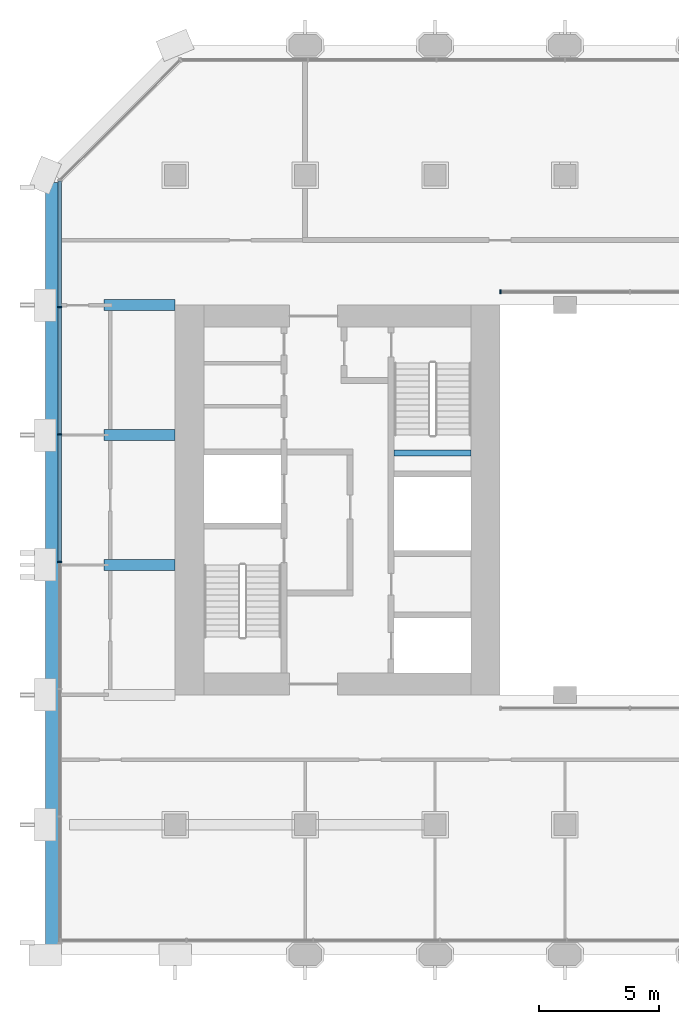
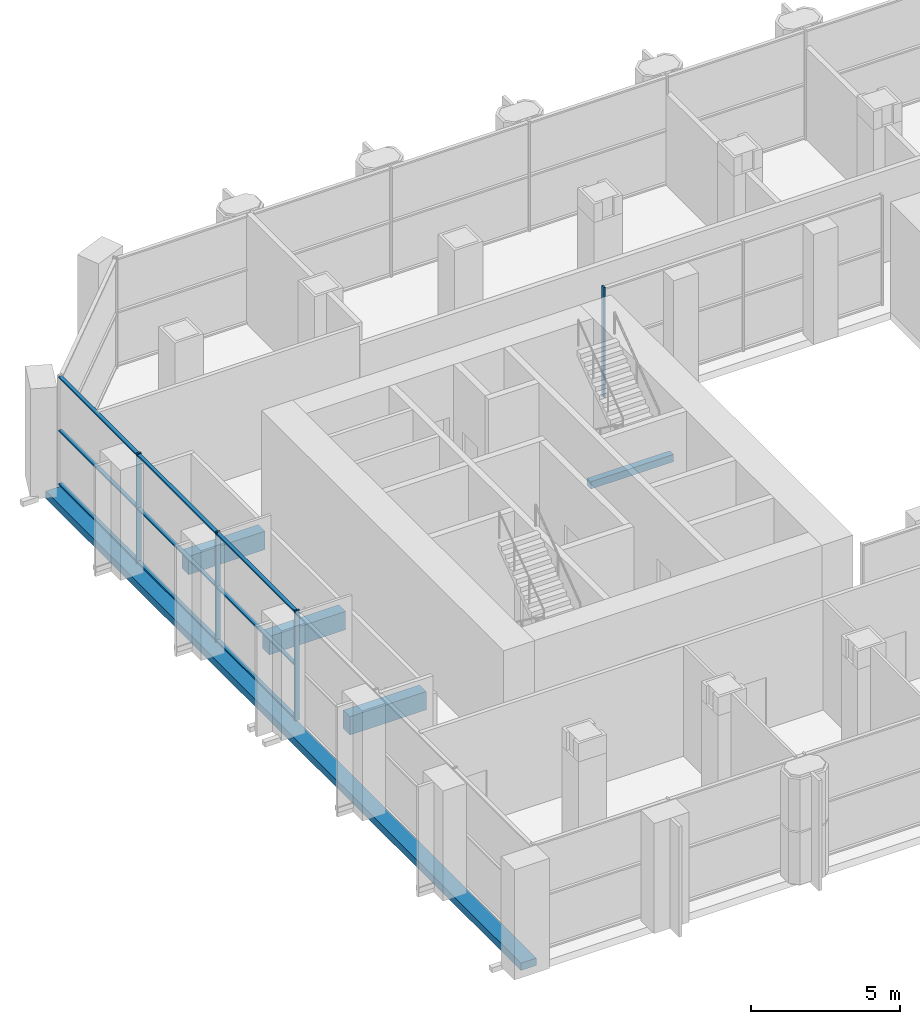
# One storey, part 4 of 15: 13 members, 5 beams, 2 elements without a shape of their own.
"""IFC4 building model written with IfcOpenShell, lengths in metres."""

import ifcopenshell
import ifcopenshell.guid

model = None  # the IFC model being written
_history = None  # IfcOwnerHistory: only IFC2X3 demands one
_inside = {}  # id of a spatial element -> (the spatial element, [elements in it])
_under = {}  # id of a project, library or spatial element -> (it, [spatial elements below it])
_declared = {}  # id of a project -> (the project, [libraries it declares])
_typed = {}  # id of a type object -> (the type object, [elements of that type])
_made_of = {}  # id of a material, layer set ... -> (it, [elements and type objects made of it])


def new_model(schema):
    """Start an empty IFC model of exactly this schema.

    Asked for "IFC4X3", IfcOpenShell would pick the latest addendum, in which some entities
    have other attributes; the version numbers below select the first issue.
    IFC2X3 requires an IfcOwnerHistory on every rooted entity: one is made here for all.
    """
    global model, _history
    if schema == "IFC4X3":
        model = ifcopenshell.file(schema_version=(4, 3, 0, 0))
    else:
        model = ifcopenshell.file(schema=schema)
    _inside.clear()
    _under.clear()
    _declared.clear()
    _typed.clear()
    _made_of.clear()
    _history = None
    if model.schema == "IFC2X3":
        org = make("IfcOrganization", Name="unknown")
        user = make(
            "IfcPersonAndOrganization",
            ThePerson=make("IfcPerson", FamilyName="unknown"),
            TheOrganization=org,
        )
        app = make(
            "IfcApplication",
            ApplicationDeveloper=org,
            Version="unknown",
            ApplicationFullName="unknown",
            ApplicationIdentifier="unknown",
        )
        _history = make(
            "IfcOwnerHistory",
            OwningUser=user,
            OwningApplication=app,
            ChangeAction="ADDED",
            CreationDate=0,
        )
    return model


def make(cls, **values):
    """One entity of the class cls with the attributes given. An attribute that is None is left unset."""
    return model.create_entity(
        cls, **{name: value for name, value in values.items() if value is not None}
    )


def rooted(cls, **values):
    """An entity with a GlobalId (a new one), such as an element, a storey or a relation."""
    return make(cls, GlobalId=ifcopenshell.guid.new(), OwnerHistory=_history, **values)


def si_unit(unit_type, name, prefix=None):
    """IfcSIUnit, for example si_unit("LENGTHUNIT", "METRE", prefix="MILLI")."""
    return make("IfcSIUnit", UnitType=unit_type, Prefix=prefix, Name=name)


def assignment(units):
    """IfcUnitAssignment: the units of a project."""
    return None if units is None else make("IfcUnitAssignment", Units=units)


def point(xyz):
    """IfcCartesianPoint."""
    return None if xyz is None else make("IfcCartesianPoint", Coordinates=xyz)


def direction(xyz):
    """IfcDirection."""
    return None if xyz is None else make("IfcDirection", DirectionRatios=xyz)


def frame(location, z_axis=None, x_axis=None):
    """IfcAxis2Placement3D, a coordinate frame: its origin and axes. An axis left out is left unset."""
    return make(
        "IfcAxis2Placement3D",
        Location=point(location),
        Axis=direction(z_axis),
        RefDirection=direction(x_axis),
    )


def frame_2d(location, x_axis=None):
    """IfcAxis2Placement2D, a coordinate frame in the plane: its origin and x axis."""
    return make(
        "IfcAxis2Placement2D", Location=point(location), RefDirection=direction(x_axis)
    )


def origin():
    """The frame at (0, 0, 0) with its axes left unset."""
    return frame((0.0, 0.0, 0.0))


def origin_2d():
    """The frame at (0, 0) in the plane with its x axis left unset."""
    return frame_2d((0.0, 0.0))


def place(relative_to, where):
    """IfcLocalPlacement: puts the frame where relative to a parent placement (None: the world)."""
    return make(
        "IfcLocalPlacement", PlacementRelTo=relative_to, RelativePlacement=where
    )


def context(
    kind, dimensions, precision=None, world=None, true_north=None, identifier=None
):
    """IfcGeometricRepresentationContext, for example the 3D "Model" context."""
    return make(
        "IfcGeometricRepresentationContext",
        ContextIdentifier=identifier,
        ContextType=kind,
        CoordinateSpaceDimension=dimensions,
        Precision=precision,
        WorldCoordinateSystem=world,
        TrueNorth=true_north,
    )


def subcontext(parent, identifier, kind, view, scale=None):
    """IfcGeometricRepresentationSubContext, for example "Body" below "Model"."""
    return make(
        "IfcGeometricRepresentationSubContext",
        ContextIdentifier=identifier,
        ContextType=kind,
        ParentContext=parent,
        TargetScale=scale,
        TargetView=view,
    )


def project(units=None, contexts=None):
    """IfcProject with its units and contexts."""
    return rooted(
        "IfcProject",
        Name="project",
        RepresentationContexts=contexts,
        UnitsInContext=assignment(units),
    )


def spatial(cls, under=None, at=None, **own):
    """A site, building, storey or space (cls), placed at a placement, below another one or the project."""
    s = rooted(cls, ObjectPlacement=at, **own)
    if under is not None:
        _under.setdefault(under.id(), (under, []))[1].append(s)
    return s


def profile(cls, at=None, kind="AREA", **sizes):
    """A parametric profile (cls). Its sizes go by their IFC names, for example OverallWidth=200.0."""
    return make(cls, ProfileType=kind, Position=at, **sizes)


def rectangle(**sizes):
    """IfcRectangleProfileDef."""
    return profile("IfcRectangleProfileDef", **sizes)


def extrude(swept, where, along, depth):
    """IfcExtrudedAreaSolid: the profile swept, set in the frame where, extruded along a direction by depth."""
    return make(
        "IfcExtrudedAreaSolid",
        SweptArea=swept,
        Position=where,
        ExtrudedDirection=direction(along),
        Depth=depth,
    )


def shape(context_of_items, identifier, shape_type, items):
    """IfcShapeRepresentation: the items that make up one representation, for example the "Body"."""
    return make(
        "IfcShapeRepresentation",
        ContextOfItems=context_of_items,
        RepresentationIdentifier=identifier,
        RepresentationType=shape_type,
        Items=items,
    )


def material(Name=None, Category=None):
    """IfcMaterial."""
    return make("IfcMaterial", Name=Name, Category=Category)


def material_profile(
    of_material, cross_section, Name=None, Category=None, Priority=None
):
    """IfcMaterialProfile: a cross section and its material."""
    return make(
        "IfcMaterialProfile",
        Name=Name,
        Material=of_material,
        Profile=cross_section,
        Priority=Priority,
        Category=Category,
    )


def profile_set(profiles, Name=None, composite=None):
    """IfcMaterialProfileSet."""
    return make(
        "IfcMaterialProfileSet",
        Name=Name,
        MaterialProfiles=profiles,
        CompositeProfile=composite,
    )


def made_of(thing, what):
    """Note that an element or type object is made of a material, layer set ...; save() writes the relation."""
    if what is not None:
        _made_of.setdefault(what.id(), (what, []))[1].append(thing)
    return thing


def type_object(cls, material=None, **own):
    """A type object (cls), such as IfcWallType, which elements share."""
    return made_of(rooted(cls, **own), material)


def element(
    cls,
    number,
    at=None,
    inside=None,
    cuts=None,
    type_object=None,
    material=None,
    context=None,
    identifier="Body",
    shape_type=None,
    held_by="IfcProductDefinitionShape",
    body=None,
    shapes=None,
    **own,
):
    """One element of the class cls, such as IfcWall. Its Tag is "e" and its number.

    at: its placement. inside: the storey or other place that contains it. cuts: it is an
    opening in that element (IfcRelVoidsElement). A single representation is given by context,
    identifier, shape_type and body (its items); several are given by shapes. held_by: the class
    of the entity that holds the representations. save() writes the other relations.
    """
    e = rooted(cls, Tag="e%d" % number, ObjectPlacement=at, **own)
    if body is not None:
        shapes = [shape(context, identifier, shape_type, body)]
    if shapes is not None:
        e.Representation = make(held_by, Representations=shapes)
    if inside is not None:
        _inside.setdefault(inside.id(), (inside, []))[1].append(e)
    if cuts is not None:
        rooted(
            "IfcRelVoidsElement", RelatingBuildingElement=cuts, RelatedOpeningElement=e
        )
    if type_object is not None:
        _typed.setdefault(type_object.id(), (type_object, []))[1].append(e)
    return made_of(e, material)


def aggregate(whole, parts):
    """IfcRelAggregates: a whole, such as a stair, and the parts it consists of."""
    return rooted("IfcRelAggregates", RelatingObject=whole, RelatedObjects=parts)


def save(model, path):
    """Write the relations noted so far, then the file.

    IfcRelAggregates (storeys below a building ...), IfcRelContainedInSpatialStructure (elements
    in a storey), IfcRelDefinesByType, IfcRelAssociatesMaterial and IfcRelDeclares: one each for
    every whole, place, type object, material and project.
    """
    for whole, parts in _under.values():
        aggregate(whole, parts)
    for where, things in _inside.values():
        rooted(
            "IfcRelContainedInSpatialStructure",
            RelatedElements=things,
            RelatingStructure=where,
        )
    for kind, things in _typed.values():
        rooted("IfcRelDefinesByType", RelatedObjects=things, RelatingType=kind)
    for what, things in _made_of.values():
        rooted("IfcRelAssociatesMaterial", RelatedObjects=things, RelatingMaterial=what)
    for by, libraries in _declared.values():
        rooted("IfcRelDeclares", RelatingContext=by, RelatedDefinitions=libraries)
    model.write(path)


model = new_model("IFC4")

# Units and contexts
model_context = context("Model", 3, precision=1e-05, world=origin(), true_north=direction((0.0, 1.0)))
body_context = subcontext(model_context, "Body", "Model", "MODEL_VIEW")
ifc_project = project(units=[si_unit("LENGTHUNIT", "METRE"), si_unit("AREAUNIT", "SQUARE_METRE"), si_unit("VOLUMEUNIT", "CUBIC_METRE"), si_unit("PLANEANGLEUNIT", "RADIAN"), si_unit("MASSUNIT", "GRAM", prefix="KILO")], contexts=[model_context])

# Site, building, storey
site_placement = place(None, origin())
site = spatial("IfcSite", under=ifc_project, at=site_placement, CompositionType="ELEMENT")
building_placement = place(site_placement, origin())
building = spatial("IfcBuilding", under=site, at=building_placement, Name="Tabaq Tower and Sports Hall", CompositionType="ELEMENT")
storey_placement = place(building_placement, frame((0.0, 0.0, 143.199951171875)))
storey = spatial("IfcBuildingStorey", under=building, at=storey_placement, Name="L33", CompositionType="ELEMENT", Elevation=143.199951171875)

# Curtain wall, member
ifc_material_1 = material(Name="Aluminium alloy 6063-T6 framed glazing", Category="aluminium")
curtain_wall_type_1 = type_object("IfcCurtainWallType", Name="CW1 curtain wall", PredefinedType="USERDEFINED", material=ifc_material_1)
curtain_wall_1_placement = place(storey_placement, origin())
curtain_wall_1 = element("IfcCurtainWall", 1, at=curtain_wall_1_placement, inside=storey, type_object=curtain_wall_type_1, Name="Atrium glazing L33 N", ObjectType="ATRIUM ENCLOSURE", PredefinedType="USERDEFINED")
ifc_material_2 = material(Name="Aluminium alloy 6063-T6", Category="aluminium")
ifc_material_profile_1 = material_profile(ifc_material_2, rectangle(XDim=0.159912109375, YDim=0.06005859375, at=origin_2d()), Name="MULLION 160x60")
ifc_profile_set_1 = profile_set([ifc_material_profile_1], Name="Aluminium alloy 6063-T6")
member_type_1 = type_object("IfcMemberType", Name="CW1 mullion 160x60", PredefinedType="MULLION", material=ifc_profile_set_1)
member_1_placement = place(storey_placement, frame((18.929931640625, 32.949951171875, 0.0), z_axis=(0.0, 0.0, 1.0), x_axis=(0.0, 1.0, 0.0)))
member_1 = element("IfcMember", 2, at=member_1_placement, type_object=member_type_1, Name="CW1 mullion 1", PredefinedType="MULLION", context=body_context, shape_type="SweptSolid", body=[
    extrude(rectangle(XDim=0.159912109375, YDim=0.06005859375, at=origin_2d()), origin(), (0.0, 0.0, 1.0), 4.5),
])
aggregate(curtain_wall_1, [member_1])

# Curtain wall, members
ifc_material_3 = material(Name="Aluminium alloy 6063-T6 framed glazing", Category="aluminium")
curtain_wall_type_2 = type_object("IfcCurtainWallType", Name="CW3 curtain wall", PredefinedType="USERDEFINED", material=ifc_material_3)
curtain_wall_2_placement = place(storey_placement, origin())
curtain_wall_2 = element("IfcCurtainWall", 3, at=curtain_wall_2_placement, inside=storey, type_object=curtain_wall_type_2, Name="Garden Floor Wall L33 W", ObjectType="GARDEN FLOOR WALL", PredefinedType="USERDEFINED")
ifc_material_4 = material(Name="Aluminium alloy 6063-T6", Category="aluminium")
ifc_material_profile_2 = material_profile(ifc_material_4, rectangle(XDim=0.179931640625, YDim=0.06005859375, at=origin_2d()), Name="MULLION 180x60")
ifc_profile_set_2 = profile_set([ifc_material_profile_2], Name="Aluminium alloy 6063-T6")
member_type_2 = type_object("IfcMemberType", Name="CW3 mullion 180x60", PredefinedType="MULLION", material=ifc_profile_set_2)
member_2_placement = place(storey_placement, frame((0.60009765625, 32.319580078125, 0.0), z_axis=(0.0, 0.0, 1.0), x_axis=(1.0, 0.0, 0.0)))
member_2 = element("IfcMember", 4, at=member_2_placement, type_object=member_type_2, Name="CW3 mullion 2", PredefinedType="MULLION", context=body_context, shape_type="SweptSolid", body=[
    extrude(rectangle(XDim=0.179931640625, YDim=0.06005859375, at=origin_2d()), origin(), (0.0, 0.0, 1.0), 4.5),
])
member_3_placement = place(storey_placement, frame((0.60009765625, 27.025634765625, 0.0), z_axis=(0.0, 0.0, 1.0), x_axis=(1.0, 0.0, 0.0)))
member_3 = element("IfcMember", 5, at=member_3_placement, type_object=member_type_2, Name="CW3 mullion 3", PredefinedType="MULLION", context=body_context, shape_type="SweptSolid", body=[
    extrude(rectangle(XDim=0.179931640625, YDim=0.06005859375, at=origin_2d()), origin(), (0.0, 0.0, 1.0), 4.5),
])
member_4_placement = place(storey_placement, frame((0.60009765625, 21.731689453125, 0.0), z_axis=(0.0, 0.0, 1.0), x_axis=(1.0, 0.0, 0.0)))
member_4 = element("IfcMember", 6, at=member_4_placement, type_object=member_type_2, Name="CW3 mullion 4", PredefinedType="MULLION", context=body_context, shape_type="SweptSolid", body=[
    extrude(rectangle(XDim=0.179931640625, YDim=0.06005859375, at=origin_2d()), origin(), (0.0, 0.0, 1.0), 4.5),
])
ifc_material_5 = material(Name="Aluminium alloy 6063-T6", Category="aluminium")
ifc_material_profile_3 = material_profile(ifc_material_5, rectangle(XDim=0.139892578125, YDim=0.06005859375, at=origin_2d()), Name="TRANSOM 140x60")
ifc_profile_set_3 = profile_set([ifc_material_profile_3], Name="Aluminium alloy 6063-T6")
member_type_3 = type_object("IfcMemberType", Name="CW3 transom 140x60", PredefinedType="USERDEFINED", material=ifc_profile_set_3)
member_5_placement = place(storey_placement, frame((0.60009765625, 37.5537109375, 0.070068359375), z_axis=(0.0, -1.0, 0.0), x_axis=(1.0, 0.0, 0.0)))
member_5 = element("IfcMember", 7, at=member_5_placement, type_object=member_type_3, Name="CW3 transom 1.1", ObjectType="TRANSOM", PredefinedType="USERDEFINED", context=body_context, shape_type="SweptSolid", body=[
    extrude(rectangle(XDim=0.139892578125, YDim=0.06005859375, at=origin_2d()), origin(), (0.0, 0.0, 1.0), 5.2041015625),
])
member_6_placement = place(storey_placement, frame((0.60009765625, 37.5537109375, 2.25), z_axis=(0.0, -1.0, 0.0), x_axis=(1.0, 0.0, 0.0)))
member_6 = element("IfcMember", 8, at=member_6_placement, type_object=member_type_3, Name="CW3 transom 1.2", ObjectType="TRANSOM", PredefinedType="USERDEFINED", context=body_context, shape_type="SweptSolid", body=[
    extrude(rectangle(XDim=0.139892578125, YDim=0.06005859375, at=origin_2d()), origin(), (0.0, 0.0, 1.0), 5.2041015625),
])
member_7_placement = place(storey_placement, frame((0.60009765625, 37.5537109375, 4.429931640625), z_axis=(0.0, -1.0, 0.0), x_axis=(1.0, 0.0, 0.0)))
member_7 = element("IfcMember", 9, at=member_7_placement, type_object=member_type_3, Name="CW3 transom 1.3", ObjectType="TRANSOM", PredefinedType="USERDEFINED", context=body_context, shape_type="SweptSolid", body=[
    extrude(rectangle(XDim=0.139892578125, YDim=0.06005859375, at=origin_2d()), origin(), (0.0, 0.0, 1.0), 5.2041015625),
])
member_8_placement = place(storey_placement, frame((0.60009765625, 32.28955078125, 0.070068359375), z_axis=(0.0, -1.0, 0.0), x_axis=(1.0, 0.0, 0.0)))
member_8 = element("IfcMember", 10, at=member_8_placement, type_object=member_type_3, Name="CW3 transom 2.1", ObjectType="TRANSOM", PredefinedType="USERDEFINED", context=body_context, shape_type="SweptSolid", body=[
    extrude(rectangle(XDim=0.139892578125, YDim=0.06005859375, at=origin_2d()), origin(), (0.0, 0.0, 1.0), 5.23388671875),
])
member_9_placement = place(storey_placement, frame((0.60009765625, 32.28955078125, 2.25), z_axis=(0.0, -1.0, 0.0), x_axis=(1.0, 0.0, 0.0)))
member_9 = element("IfcMember", 11, at=member_9_placement, type_object=member_type_3, Name="CW3 transom 2.2", ObjectType="TRANSOM", PredefinedType="USERDEFINED", context=body_context, shape_type="SweptSolid", body=[
    extrude(rectangle(XDim=0.139892578125, YDim=0.06005859375, at=origin_2d()), origin(), (0.0, 0.0, 1.0), 5.23388671875),
])
member_10_placement = place(storey_placement, frame((0.60009765625, 32.28955078125, 4.429931640625), z_axis=(0.0, -1.0, 0.0), x_axis=(1.0, 0.0, 0.0)))
member_10 = element("IfcMember", 12, at=member_10_placement, type_object=member_type_3, Name="CW3 transom 2.3", ObjectType="TRANSOM", PredefinedType="USERDEFINED", context=body_context, shape_type="SweptSolid", body=[
    extrude(rectangle(XDim=0.139892578125, YDim=0.06005859375, at=origin_2d()), origin(), (0.0, 0.0, 1.0), 5.23388671875),
])
member_11_placement = place(storey_placement, frame((0.60009765625, 26.995849609375, 0.070068359375), z_axis=(0.0, -1.0, 0.0), x_axis=(1.0, 0.0, 0.0)))
member_11 = element("IfcMember", 13, at=member_11_placement, type_object=member_type_3, Name="CW3 transom 3.1", ObjectType="TRANSOM", PredefinedType="USERDEFINED", context=body_context, shape_type="SweptSolid", body=[
    extrude(rectangle(XDim=0.139892578125, YDim=0.06005859375, at=origin_2d()), origin(), (0.0, 0.0, 1.0), 5.234130859375),
])
member_12_placement = place(storey_placement, frame((0.60009765625, 26.995849609375, 2.25), z_axis=(0.0, -1.0, 0.0), x_axis=(1.0, 0.0, 0.0)))
member_12 = element("IfcMember", 14, at=member_12_placement, type_object=member_type_3, Name="CW3 transom 3.2", ObjectType="TRANSOM", PredefinedType="USERDEFINED", context=body_context, shape_type="SweptSolid", body=[
    extrude(rectangle(XDim=0.139892578125, YDim=0.06005859375, at=origin_2d()), origin(), (0.0, 0.0, 1.0), 5.234130859375),
])
member_13_placement = place(storey_placement, frame((0.60009765625, 26.995849609375, 4.429931640625), z_axis=(0.0, -1.0, 0.0), x_axis=(1.0, 0.0, 0.0)))
member_13 = element("IfcMember", 15, at=member_13_placement, type_object=member_type_3, Name="CW3 transom 3.3", ObjectType="TRANSOM", PredefinedType="USERDEFINED", context=body_context, shape_type="SweptSolid", body=[
    extrude(rectangle(XDim=0.139892578125, YDim=0.06005859375, at=origin_2d()), origin(), (0.0, 0.0, 1.0), 5.234130859375),
])
aggregate(curtain_wall_2, [member_2, member_3, member_4, member_5, member_6, member_7, member_8, member_9, member_10, member_11, member_12, member_13])

# Beams
ifc_material_6 = material(Name="Concrete C40/50", Category="concrete")
ifc_material_profile_4 = material_profile(ifc_material_6, rectangle(XDim=0.449951171875, YDim=0.75, at=origin_2d()), Name="CB 450x750")
ifc_profile_set_4 = profile_set([ifc_material_profile_4], Name="Concrete C40/50")
beam_type_1 = type_object("IfcBeamType", Name="PT CANTILEVER BEAM CB 450x750 C40/50", PredefinedType="BEAM", material=ifc_profile_set_4)
for number, where, z_axis, x_axis, name in (
    (16, (2.449951171875, 21.60009765625, -0.675048828125), (1.0, 0.0, 0.0), (0.0, 1.0, 0.0), "Cantilever Beam L33 W4 span 1"),
    (17, (2.449951171875, 27.0, -0.675048828125), (1.0, 0.0, 0.0), (0.0, 1.0, 0.0), "Cantilever Beam L33 W5 span 1"),
    (18, (2.449951171875, 32.39990234375, -0.675048828125), (1.0, 0.0, 0.0), (0.0, 1.0, 0.0), "Cantilever Beam L33 W6 span 1"),
):
    element("IfcBeam", number, at=place(storey_placement, frame(where, z_axis=z_axis, x_axis=x_axis)), inside=storey, type_object=beam_type_1, Name=name, PredefinedType="BEAM", context=body_context, shape_type="SweptSolid", body=[
        extrude(rectangle(XDim=0.449951171875, YDim=0.75, at=origin_2d()), origin(), (0.0, 0.0, 1.0), 2.949951171875),
    ])
ifc_material_7 = material(Name="Concrete C40/50", Category="concrete")
ifc_material_profile_5 = material_profile(ifc_material_7, rectangle(XDim=0.60009765625, YDim=0.300048828125, at=origin_2d()), Name="EB 600x300")
ifc_profile_set_5 = profile_set([ifc_material_profile_5], Name="Concrete C40/50")
beam_type_2 = type_object("IfcBeamType", Name="PT EDGE BEAM EB 600x300 C40/50", PredefinedType="SPANDREL", material=ifc_profile_set_5)
beam_1_placement = place(storey_placement, frame((0.300048828125, 37.50146484375, -0.14990234375), z_axis=(0.0, -1.0, 0.0), x_axis=(1.0, 0.0, 0.0)))
element("IfcBeam", 19, at=beam_1_placement, inside=storey, type_object=beam_type_2, Name="Edge Beam L33 1", PredefinedType="SPANDREL", context=body_context, shape_type="SweptSolid", body=[
    extrude(rectangle(XDim=0.60009765625, YDim=0.300048828125, at=origin_2d()), origin(), (0.0, 0.0, 1.0), 31.8115234375),
])
ifc_material_8 = material(Name="Concrete C40/50", Category="concrete")
ifc_material_profile_6 = material_profile(ifc_material_8, rectangle(XDim=0.25, YDim=0.300048828125, at=origin_2d()), Name="RC 250x300")
ifc_profile_set_6 = profile_set([ifc_material_profile_6], Name="Concrete C40/50")
beam_type_3 = type_object("IfcBeamType", Name="Stair landing beam 250x300", PredefinedType="BEAM", material=ifc_profile_set_6)
beam_2_placement = place(storey_placement, frame((14.5, 26.25, 2.050048828125), z_axis=(1.0, 0.0, 0.0), x_axis=(0.0, 1.0, 0.0)))
element("IfcBeam", 20, at=beam_2_placement, inside=storey, type_object=beam_type_3, Name="L33 ST2 landing beam 1", PredefinedType="BEAM", context=body_context, shape_type="SweptSolid", body=[
    extrude(rectangle(XDim=0.25, YDim=0.300048828125, at=origin_2d()), origin(), (0.0, 0.0, 1.0), 3.199951171875),
])

save(model, "model.ifc")
